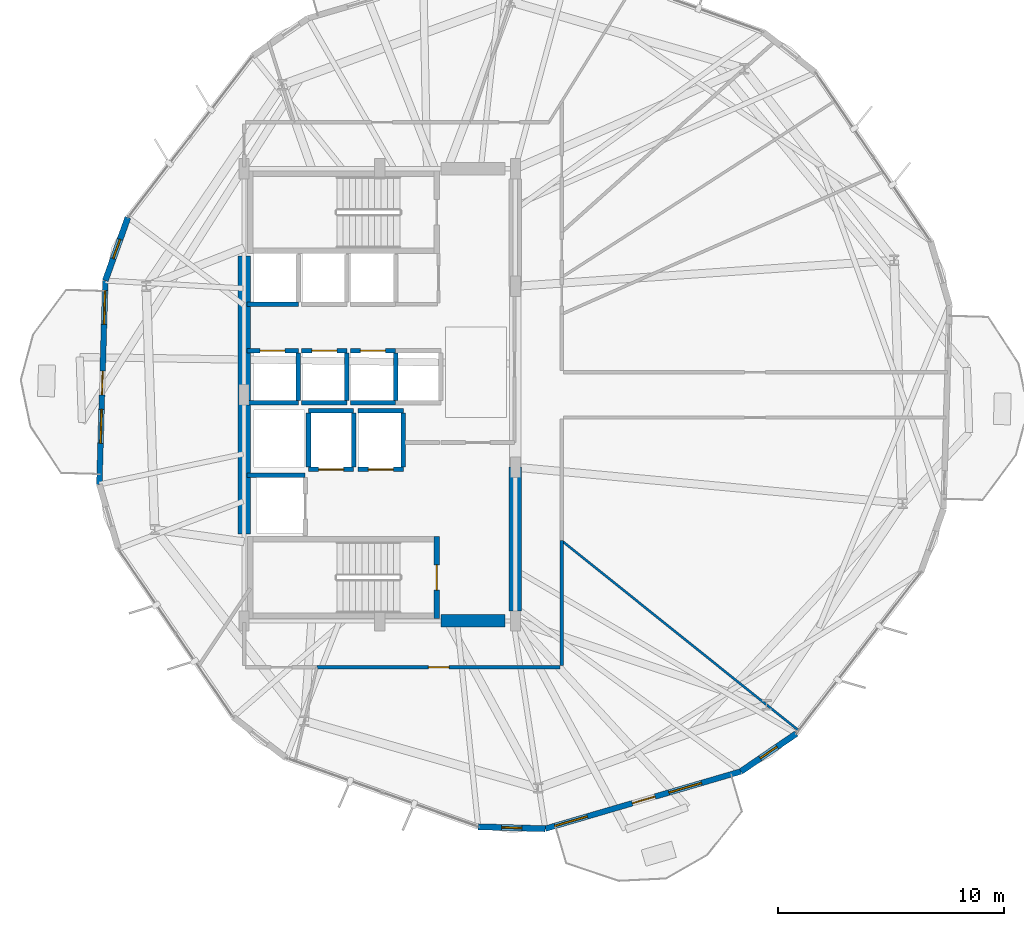
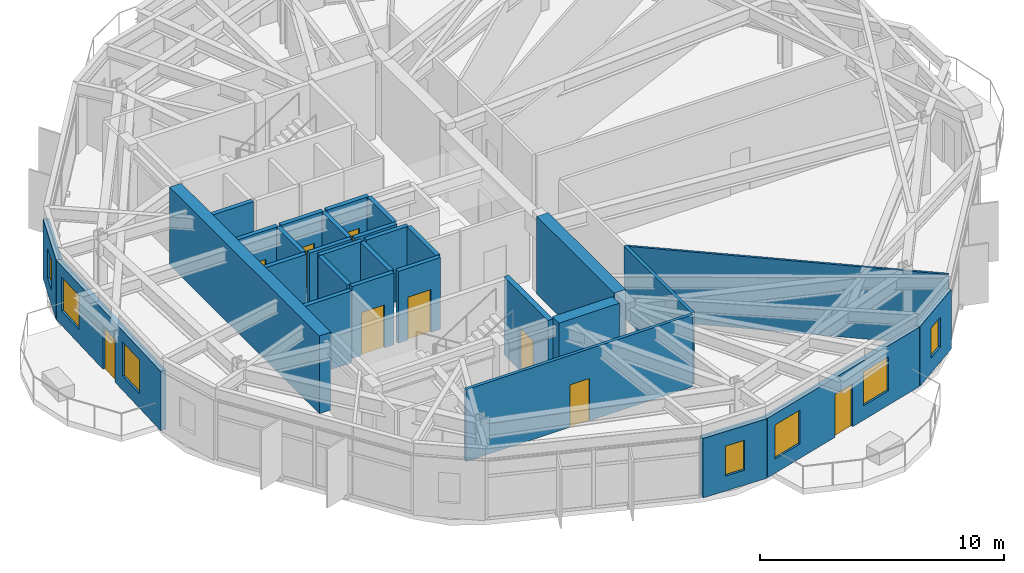
# One storey, part 19 of 24: 30 walls, 9 doors, 7 windows, 16 openings.
"""IFC4 building model written with IfcOpenShell, lengths in metres."""

from ifc_helpers import new_model, si_unit, direction, frame, frame_2d, origin, place, context, subcontext, project, spatial, rectangle, extrude, material, layer, layer_set, type_object, element, fill, save


model = new_model("IFC4")

# Units and contexts
model_context = context("Model", 3, precision=1e-05, world=origin(), true_north=direction((0.0, 1.0)))
body_context = subcontext(model_context, "Body", "Model", "MODEL_VIEW")
ifc_project = project(units=[si_unit("LENGTHUNIT", "METRE"), si_unit("AREAUNIT", "SQUARE_METRE"), si_unit("VOLUMEUNIT", "CUBIC_METRE"), si_unit("PLANEANGLEUNIT", "RADIAN"), si_unit("MASSUNIT", "GRAM", prefix="KILO")], contexts=[model_context])

# Site, building, storey
site_placement = place(None, origin())
site = spatial("IfcSite", under=ifc_project, at=site_placement, CompositionType="ELEMENT")
building_placement = place(site_placement, origin())
building = spatial("IfcBuilding", under=site, at=building_placement, Name="Soratama Intermodal Tower", CompositionType="ELEMENT")
storey_placement = place(building_placement, frame((0.0, 0.0, 91.300048828125)))
storey = spatial("IfcBuildingStorey", under=building, at=storey_placement, Name="L21", CompositionType="ELEMENT", Elevation=91.300048828125)

# Wall, openings, door, windows
ifc_material_1 = material(Name="Concrete f'c 42 MPa", Category="concrete")
ifc_layer_1 = layer(ifc_material_1, 0.25)
ifc_layer_set_1 = layer_set([ifc_layer_1], Name="Concrete f'c 42 MPa")
wall_type_1 = type_object("IfcWallType", Name="EW-BAL-250", PredefinedType="SOLIDWALL", material=ifc_layer_set_1)
wall_1_placement = place(storey_placement, frame((26.46484375, 30.053955078125, 0.0), z_axis=(0.0, 0.0, 1.0), x_axis=(-0.029323462977, -0.999569974799, 0.0)))
wall_1 = element("IfcWall", 1, at=wall_1_placement, inside=storey, type_object=wall_type_1, Name="L21 Terrace Wall F05", PredefinedType="SOLIDWALL", context=body_context, shape_type="SweptSolid", body=[
    extrude(rectangle(XDim=9.016845703125, YDim=0.25, at=frame_2d((4.50830078125, 0.0))), origin(), (0.0, 0.0, 1.0), 2.97900390625),
])
opening_1_placement = place(wall_1_placement, frame((4.00830078125, 0.0, 0.0)))
opening_1 = element("IfcOpeningElement", 2, at=opening_1_placement, cuts=wall_1, Name="Opening ED-5", PredefinedType="OPENING", context=body_context, shape_type="SweptSolid", body=[
    extrude(rectangle(XDim=1.050048828125, YDim=2.14990234375, at=frame_2d((0.52490234375, 1.074951171875))), frame((0.0, 0.135009765625, 0.0), z_axis=(0.0, -1.0, 0.0), x_axis=(1.0, 0.0, 0.0)), (0.0, 0.0, 1.0), 0.27001953125),
])
opening_2_placement = place(wall_1_placement, frame((0.43994140625, 0.0, 0.719970703125)))
opening_2 = element("IfcOpeningElement", 3, at=opening_2_placement, cuts=wall_1, Name="Opening WN-1", PredefinedType="OPENING", context=body_context, shape_type="SweptSolid", body=[
    extrude(rectangle(XDim=1.5, YDim=1.699951171875, at=frame_2d((0.75, 0.85009765625))), frame((0.0, 0.135009765625, 0.0), z_axis=(0.0, -1.0, 0.0), x_axis=(1.0, 0.0, 0.0)), (0.0, 0.0, 1.0), 0.27001953125),
])
opening_3_placement = place(wall_1_placement, frame((5.698486328125, 0.0, 0.719970703125)))
opening_3 = element("IfcOpeningElement", 4, at=opening_3_placement, cuts=wall_1, Name="Opening WN-1", PredefinedType="OPENING", context=body_context, shape_type="SweptSolid", body=[
    extrude(rectangle(XDim=1.5, YDim=1.699951171875, at=frame_2d((0.75, 0.85009765625))), frame((0.0, 0.135009765625, 0.0), z_axis=(0.0, -1.0, 0.0), x_axis=(1.0, 0.0, 0.0)), (0.0, 0.0, 1.0), 0.27001953125),
])
ifc_material_2 = material(Name="Double-glazed aluminium door", Category="aluminium")
door_type_1 = type_object("IfcDoorType", Name="DR-BAL-1050", OperationType="NOTDEFINED", PredefinedType="DOOR", material=ifc_material_2)
door_1_placement = place(opening_1_placement, origin())
door_1 = element("IfcDoor", 5, at=door_1_placement, inside=storey, type_object=door_type_1, Name="L21 Balcony Door F05", OperationType="SINGLE_SWING_LEFT", OverallHeight=2.14990234375, OverallWidth=1.050048828125, PredefinedType="DOOR", context=body_context, shape_type="SweptSolid", body=[
    extrude(rectangle(XDim=1.050048828125, YDim=2.14990234375, at=frame_2d((0.52490234375, 1.074951171875))), frame((0.0, 0.02490234375, 0.0), z_axis=(0.0, -1.0, 0.0), x_axis=(1.0, 0.0, 0.0)), (0.0, 0.0, 1.0), 0.050048828125),
])
fill(opening_1, door_1)
ifc_material_3 = material(Name="Double-glazed aluminium window", Category="aluminium")
window_type_1 = type_object("IfcWindowType", Name="WN-FAC-1500", PartitioningType="SINGLE_PANEL", PredefinedType="WINDOW", material=ifc_material_3)
window_1_placement = place(opening_2_placement, origin())
window_1 = element("IfcWindow", 6, at=window_1_placement, inside=storey, type_object=window_type_1, Name="L21 Window A F05", OverallHeight=1.699951171875, OverallWidth=1.5, PartitioningType="SINGLE_PANEL", PredefinedType="WINDOW", context=body_context, shape_type="SweptSolid", body=[
    extrude(rectangle(XDim=1.5, YDim=1.699951171875, at=frame_2d((0.75, 0.85009765625))), frame((0.0, 0.030029296875, 0.0), z_axis=(0.0, -1.0, 0.0), x_axis=(1.0, 0.0, 0.0)), (0.0, 0.0, 1.0), 0.06005859375),
])
fill(opening_2, window_1)
window_2_placement = place(opening_3_placement, origin())
window_2 = element("IfcWindow", 7, at=window_2_placement, inside=storey, type_object=window_type_1, Name="L21 Window B F05", OverallHeight=1.699951171875, OverallWidth=1.5, PartitioningType="SINGLE_PANEL", PredefinedType="WINDOW", context=body_context, shape_type="SweptSolid", body=[
    extrude(rectangle(XDim=1.5, YDim=1.699951171875, at=frame_2d((0.75, 0.85009765625))), frame((0.0, 0.030029296875, 0.0), z_axis=(0.0, -1.0, 0.0), x_axis=(1.0, 0.0, 0.0)), (0.0, 0.0, 1.0), 0.06005859375),
])
fill(opening_3, window_2)

wall_2_placement = place(storey_placement, frame((45.921142578125, 5.810302734375, 0.0), z_axis=(0.0, 0.0, 1.0), x_axis=(0.959709272815, 0.28099486058, 0.0)))
wall_2 = element("IfcWall", 8, at=wall_2_placement, inside=storey, type_object=wall_type_1, Name="L21 Terrace Wall F08", PredefinedType="SOLIDWALL", context=body_context, shape_type="SweptSolid", body=[
    extrude(rectangle(XDim=9.016845703125, YDim=0.25, at=frame_2d((4.50830078125, 0.0))), origin(), (0.0, 0.0, 1.0), 2.97900390625),
])
opening_4_placement = place(wall_2_placement, frame((4.00830078125, 0.0, 0.0)))
opening_4 = element("IfcOpeningElement", 9, at=opening_4_placement, cuts=wall_2, Name="Opening ED-5", PredefinedType="OPENING", context=body_context, shape_type="SweptSolid", body=[
    extrude(rectangle(XDim=1.050048828125, YDim=2.14990234375, at=frame_2d((0.52490234375, 1.074951171875))), frame((0.0, 0.135009765625, 0.0), z_axis=(0.0, -1.0, 0.0), x_axis=(1.0, 0.0, 0.0)), (0.0, 0.0, 1.0), 0.27001953125),
])
opening_5_placement = place(wall_2_placement, frame((0.43994140625, 0.0, 0.719970703125)))
opening_5 = element("IfcOpeningElement", 10, at=opening_5_placement, cuts=wall_2, Name="Opening WN-1", PredefinedType="OPENING", context=body_context, shape_type="SweptSolid", body=[
    extrude(rectangle(XDim=1.5, YDim=1.699951171875, at=frame_2d((0.75, 0.85009765625))), frame((0.0, 0.135009765625, 0.0), z_axis=(0.0, -1.0, 0.0), x_axis=(1.0, 0.0, 0.0)), (0.0, 0.0, 1.0), 0.27001953125),
])
opening_6_placement = place(wall_2_placement, frame((5.698486328125, 0.0, 0.719970703125)))
opening_6 = element("IfcOpeningElement", 11, at=opening_6_placement, cuts=wall_2, Name="Opening WN-1", PredefinedType="OPENING", context=body_context, shape_type="SweptSolid", body=[
    extrude(rectangle(XDim=1.5, YDim=1.699951171875, at=frame_2d((0.75, 0.85009765625))), frame((0.0, 0.135009765625, 0.0), z_axis=(0.0, -1.0, 0.0), x_axis=(1.0, 0.0, 0.0)), (0.0, 0.0, 1.0), 0.27001953125),
])
door_2_placement = place(opening_4_placement, origin())
door_2 = element("IfcDoor", 12, at=door_2_placement, inside=storey, type_object=door_type_1, Name="L21 Balcony Door F08", OperationType="SINGLE_SWING_RIGHT", OverallHeight=2.14990234375, OverallWidth=1.050048828125, PredefinedType="DOOR", context=body_context, shape_type="SweptSolid", body=[
    extrude(rectangle(XDim=1.050048828125, YDim=2.14990234375, at=frame_2d((0.52490234375, 1.074951171875))), frame((0.0, 0.02490234375, 0.0), z_axis=(0.0, -1.0, 0.0), x_axis=(1.0, 0.0, 0.0)), (0.0, 0.0, 1.0), 0.050048828125),
])
fill(opening_4, door_2)
window_3_placement = place(opening_5_placement, origin())
window_3 = element("IfcWindow", 13, at=window_3_placement, inside=storey, type_object=window_type_1, Name="L21 Window A F08", OverallHeight=1.699951171875, OverallWidth=1.5, PartitioningType="SINGLE_PANEL", PredefinedType="WINDOW", context=body_context, shape_type="SweptSolid", body=[
    extrude(rectangle(XDim=1.5, YDim=1.699951171875, at=frame_2d((0.75, 0.85009765625))), frame((0.0, 0.030029296875, 0.0), z_axis=(0.0, -1.0, 0.0), x_axis=(1.0, 0.0, 0.0)), (0.0, 0.0, 1.0), 0.06005859375),
])
fill(opening_5, window_3)
window_4_placement = place(opening_6_placement, origin())
window_4 = element("IfcWindow", 14, at=window_4_placement, inside=storey, type_object=window_type_1, Name="L21 Window B F08", OverallHeight=1.699951171875, OverallWidth=1.5, PartitioningType="SINGLE_PANEL", PredefinedType="WINDOW", context=body_context, shape_type="SweptSolid", body=[
    extrude(rectangle(XDim=1.5, YDim=1.699951171875, at=frame_2d((0.75, 0.85009765625))), frame((0.0, 0.030029296875, 0.0), z_axis=(0.0, -1.0, 0.0), x_axis=(1.0, 0.0, 0.0)), (0.0, 0.0, 1.0), 0.06005859375),
])
fill(opening_6, window_4)

# Wall, opening, window
ifc_material_4 = material(Name="Concrete f'c 42 MPa", Category="concrete")
ifc_layer_2 = layer(ifc_material_4, 0.27001953125)
ifc_layer_set_2 = layer_set([ifc_layer_2], Name="Concrete f'c 42 MPa")
wall_type_2 = type_object("IfcWallType", Name="EW-CRN-270", PredefinedType="SOLIDWALL", material=ifc_layer_set_2)
wall_3_placement = place(storey_placement, frame((27.4638671875, 32.847412109375, 0.0), z_axis=(0.0, 0.0, 1.0), x_axis=(-0.336742989922, -0.941596600853, 0.0)))
wall_3 = element("IfcWall", 15, at=wall_3_placement, inside=storey, type_object=wall_type_2, Name="L21 Corner Closure Wall 04", PredefinedType="SOLIDWALL", context=body_context, shape_type="SweptSolid", body=[
    extrude(rectangle(XDim=2.966796875, YDim=0.27001953125, at=frame_2d((1.4833984375, 0.0))), origin(), (0.0, 0.0, 1.0), 2.97900390625),
])
opening_7_placement = place(wall_3_placement, frame((1.033203125, 0.0, 0.75)))
opening_7 = element("IfcOpeningElement", 16, at=opening_7_placement, cuts=wall_3, Name="Opening WN-6", PredefinedType="OPENING", context=body_context, shape_type="SweptSolid", body=[
    extrude(rectangle(XDim=0.89990234375, YDim=1.5, at=frame_2d((0.449951171875, 0.75))), frame((0.0, 0.14501953125, 0.0), z_axis=(0.0, -1.0, 0.0), x_axis=(1.0, 0.0, 0.0)), (0.0, 0.0, 1.0), 0.2900390625),
])
ifc_material_5 = material(Name="Double-glazed aluminium window", Category="aluminium")
window_type_2 = type_object("IfcWindowType", Name="WN-FAC-900", PartitioningType="SINGLE_PANEL", PredefinedType="WINDOW", material=ifc_material_5)
window_5_placement = place(opening_7_placement, origin())
window_5 = element("IfcWindow", 17, at=window_5_placement, inside=storey, type_object=window_type_2, Name="L21 Corner Window 04", OverallHeight=1.5, OverallWidth=0.89990234375, PartitioningType="SINGLE_PANEL", PredefinedType="WINDOW", context=body_context, shape_type="SweptSolid", body=[
    extrude(rectangle(XDim=0.89990234375, YDim=1.5, at=frame_2d((0.449951171875, 0.75))), frame((0.0, 0.030029296875, 0.0), z_axis=(0.0, -1.0, 0.0), x_axis=(1.0, 0.0, 0.0)), (0.0, 0.0, 1.0), 0.06005859375),
])
fill(opening_7, window_5)

wall_4_placement = place(storey_placement, frame((42.955810546875, 5.897216796875, 0.0), z_axis=(0.0, 0.0, 1.0), x_axis=(0.999570736723, -0.029297479193, 0.0)))
wall_4 = element("IfcWall", 18, at=wall_4_placement, inside=storey, type_object=wall_type_2, Name="L21 Corner Closure Wall 07", PredefinedType="SOLIDWALL", context=body_context, shape_type="SweptSolid", body=[
    extrude(rectangle(XDim=2.966552734375, YDim=0.27001953125, at=frame_2d((1.4833984375, 0.0))), origin(), (0.0, 0.0, 1.0), 2.97900390625),
])
opening_8_placement = place(wall_4_placement, frame((1.033203125, 0.0, 0.75)))
opening_8 = element("IfcOpeningElement", 19, at=opening_8_placement, cuts=wall_4, Name="Opening WN-6", PredefinedType="OPENING", context=body_context, shape_type="SweptSolid", body=[
    extrude(rectangle(XDim=0.89990234375, YDim=1.5, at=frame_2d((0.449951171875, 0.75))), frame((0.0, 0.14501953125, 0.0), z_axis=(0.0, -1.0, 0.0), x_axis=(1.0, 0.0, 0.0)), (0.0, 0.0, 1.0), 0.2900390625),
])
window_6_placement = place(opening_8_placement, origin())
window_6 = element("IfcWindow", 20, at=window_6_placement, inside=storey, type_object=window_type_2, Name="L21 Corner Window 07", OverallHeight=1.5, OverallWidth=0.89990234375, PartitioningType="SINGLE_PANEL", PredefinedType="WINDOW", context=body_context, shape_type="SweptSolid", body=[
    extrude(rectangle(XDim=0.89990234375, YDim=1.5, at=frame_2d((0.449951171875, 0.75))), frame((0.0, 0.030029296875, 0.0), z_axis=(0.0, -1.0, 0.0), x_axis=(1.0, 0.0, 0.0)), (0.0, 0.0, 1.0), 0.06005859375),
])
fill(opening_8, window_6)

wall_5_placement = place(storey_placement, frame((54.57470703125, 8.343994140625, 0.0), z_axis=(0.0, 0.0, 1.0), x_axis=(0.825884174717, 0.563839808768, 0.0)))
wall_5 = element("IfcWall", 21, at=wall_5_placement, inside=storey, type_object=wall_type_2, Name="L21 Corner Closure Wall 08", PredefinedType="SOLIDWALL", context=body_context, shape_type="SweptSolid", body=[
    extrude(rectangle(XDim=2.966552734375, YDim=0.27001953125, at=frame_2d((1.4833984375, 0.0))), origin(), (0.0, 0.0, 1.0), 2.97900390625),
])
opening_9_placement = place(wall_5_placement, frame((1.033203125, 0.0, 0.75)))
opening_9 = element("IfcOpeningElement", 22, at=opening_9_placement, cuts=wall_5, Name="Opening WN-6", PredefinedType="OPENING", context=body_context, shape_type="SweptSolid", body=[
    extrude(rectangle(XDim=0.89990234375, YDim=1.5, at=frame_2d((0.449951171875, 0.75))), frame((0.0, 0.14501953125, 0.0), z_axis=(0.0, -1.0, 0.0), x_axis=(1.0, 0.0, 0.0)), (0.0, 0.0, 1.0), 0.2900390625),
])
window_7_placement = place(opening_9_placement, origin())
window_7 = element("IfcWindow", 23, at=window_7_placement, inside=storey, type_object=window_type_2, Name="L21 Corner Window 08", OverallHeight=1.5, OverallWidth=0.89990234375, PartitioningType="SINGLE_PANEL", PredefinedType="WINDOW", context=body_context, shape_type="SweptSolid", body=[
    extrude(rectangle(XDim=0.89990234375, YDim=1.5, at=frame_2d((0.449951171875, 0.75))), frame((0.0, 0.030029296875, 0.0), z_axis=(0.0, -1.0, 0.0), x_axis=(1.0, 0.0, 0.0)), (0.0, 0.0, 1.0), 0.06005859375),
])
fill(opening_9, window_7)

# Wall, opening, door
ifc_material_6 = material(Name="Fire-rated gypsum stud partition", Category="concrete")
ifc_layer_3 = layer(ifc_material_6, 0.14990234375)
ifc_layer_set_3 = layer_set([ifc_layer_3], Name="Fire-rated gypsum stud partition")
wall_type_3 = type_object("IfcWallType", Name="IW-PART-R150", PredefinedType="PARTITIONING", material=ifc_layer_set_3)
wall_6_placement = place(storey_placement, frame((46.580078125, 12.949951171875, 0.0), z_axis=(0.0, 0.0, 1.0), x_axis=(-1.0, 0.0, 0.0)))
wall_6 = element("IfcWall", 24, at=wall_6_placement, inside=storey, type_object=wall_type_3, Name="L21 Partition W-L21-TP007", PredefinedType="PARTITIONING", context=body_context, shape_type="SweptSolid", body=[
    extrude(rectangle(XDim=10.760986328125, YDim=0.14990234375, at=frame_2d((5.38037109375, 0.0))), origin(), (0.0, 0.0, 1.0), 3.599853515625),
])
opening_10_placement = place(wall_6_placement, frame((4.905029296875, 0.0, 0.0)))
opening_10 = element("IfcOpeningElement", 25, at=opening_10_placement, cuts=wall_6, Name="Opening ID-6", PredefinedType="OPENING", context=body_context, shape_type="SweptSolid", body=[
    extrude(rectangle(XDim=0.919921875, YDim=2.1201171875, at=frame_2d((0.4599609375, 1.06005859375))), frame((0.0, 0.0849609375, 0.0), z_axis=(0.0, -1.0, 0.0), x_axis=(1.0, 0.0, 0.0)), (0.0, 0.0, 1.0), 0.169921875),
])
ifc_material_7 = material(Name="Solid hardwood acoustic door", Category="wood")
door_type_2 = type_object("IfcDoorType", Name="DR-ROOM-920", OperationType="NOTDEFINED", PredefinedType="DOOR", material=ifc_material_7)
door_3_placement = place(opening_10_placement, origin())
door_3 = element("IfcDoor", 26, at=door_3_placement, inside=storey, type_object=door_type_2, Name="L21 Door D-L21-TP003", OperationType="SINGLE_SWING_RIGHT", OverallHeight=2.1201171875, OverallWidth=0.919921875, PredefinedType="DOOR", context=body_context, shape_type="SweptSolid", body=[
    extrude(rectangle(XDim=0.919921875, YDim=2.1201171875, at=frame_2d((0.4599609375, 1.06005859375))), frame((0.0, 0.02490234375, 0.0), z_axis=(0.0, -1.0, 0.0), x_axis=(1.0, 0.0, 0.0)), (0.0, 0.0, 1.0), 0.050048828125),
])
fill(opening_10, door_3)

# Walls
wall_7_placement = place(storey_placement, frame((46.64990234375, 18.550048828125, 0.0), z_axis=(0.0, 0.0, 1.0), x_axis=(0.0, -1.0, 0.0)))
element("IfcWall", 27, at=wall_7_placement, inside=storey, type_object=wall_type_3, Name="L21 Partition W-L21-TP013", PredefinedType="PARTITIONING", context=body_context, shape_type="SweptSolid", body=[
    extrude(rectangle(XDim=5.530029296875, YDim=0.14990234375, at=frame_2d((2.76513671875, 0.0))), origin(), (0.0, 0.0, 1.0), 3.599853515625),
])
ifc_material_8 = material(Name="Fire-rated gypsum stud partition", Category="concrete")
ifc_layer_4 = layer(ifc_material_8, 0.10009765625)
ifc_layer_set_4 = layer_set([ifc_layer_4], Name="Fire-rated gypsum stud partition")
wall_type_4 = type_object("IfcWallType", Name="IW-PART-S100", PredefinedType="PARTITIONING", material=ifc_layer_set_4)
wall_8_placement = place(storey_placement, frame((46.64990234375, 18.550048828125, 0.0), z_axis=(0.0, 0.0, 1.0), x_axis=(0.780396792297, -0.625284612455, 0.0)))
element("IfcWall", 28, at=wall_8_placement, inside=storey, type_object=wall_type_4, Name="L21 Partition W-L21-TP005", PredefinedType="PARTITIONING", context=body_context, shape_type="SweptSolid", body=[
    extrude(rectangle(XDim=13.428955078125, YDim=0.10009765625, at=frame_2d((6.71435546875, 0.0))), origin(), (0.0, 0.0, 1.0), 3.599853515625),
])

# Wall, opening, door
ifc_material_9 = material(Name="Concrete f'c 42 MPa", Category="concrete")
ifc_layer_5 = layer(ifc_material_9, 0.199951171875)
ifc_layer_set_5 = layer_set([ifc_layer_5], Name="Concrete f'c 42 MPa")
wall_type_5 = type_object("IfcWallType", Name="IW-SHAFT-200", PredefinedType="SOLIDWALL", material=ifc_layer_set_5)
wall_9_placement = place(storey_placement, frame((35.449951171875, 21.699951171875, 0.0), z_axis=(0.0, 0.0, 1.0), x_axis=(1.0, 0.0, 0.0)))
wall_9 = element("IfcWall", 29, at=wall_9_placement, inside=storey, type_object=wall_type_5, Name="L21 FFL-1 Hoistway Wall S", PredefinedType="SOLIDWALL", context=body_context, shape_type="SweptSolid", body=[
    extrude(rectangle(XDim=2.0, YDim=0.199951171875, at=frame_2d((1.0, 0.0))), origin(), (0.0, 0.0, 1.0), 3.599853515625),
])
opening_11_placement = place(wall_9_placement, frame((0.449951171875, 0.0, 0.0)))
opening_11 = element("IfcOpeningElement", 30, at=opening_11_placement, cuts=wall_9, Name="Opening LD-1", PredefinedType="OPENING", context=body_context, shape_type="SweptSolid", body=[
    extrude(rectangle(XDim=1.10009765625, YDim=2.14990234375, at=frame_2d((0.550048828125, 1.074951171875))), frame((0.0, 0.10986328125, 0.0), z_axis=(0.0, -1.0, 0.0), x_axis=(1.0, 0.0, 0.0)), (0.0, 0.0, 1.0), 0.219970703125),
])
ifc_material_10 = material(Name="Steel fire door", Category="steel")
door_type_3 = type_object("IfcDoorType", Name="DR-LIFT-SLIDE", OperationType="NOTDEFINED", PredefinedType="DOOR", material=ifc_material_10)
door_4_placement = place(opening_11_placement, origin())
door_4 = element("IfcDoor", 31, at=door_4_placement, inside=storey, type_object=door_type_3, Name="L21 FFL-1 Sliding Landing Door", OperationType="SLIDING_TO_LEFT", OverallHeight=2.14990234375, OverallWidth=1.10009765625, PredefinedType="DOOR", context=body_context, shape_type="SweptSolid", body=[
    extrude(rectangle(XDim=1.10009765625, YDim=2.14990234375, at=frame_2d((0.550048828125, 1.074951171875))), frame((0.0, 0.02490234375, 0.0), z_axis=(0.0, -1.0, 0.0), x_axis=(1.0, 0.0, 0.0)), (0.0, 0.0, 1.0), 0.050048828125),
])
fill(opening_11, door_4)

# Walls
wall_10_placement = place(storey_placement, frame((35.449951171875, 24.300048828125, 0.0), z_axis=(0.0, 0.0, 1.0), x_axis=(1.0, 0.0, 0.0)))
element("IfcWall", 32, at=wall_10_placement, inside=storey, type_object=wall_type_5, Name="L21 FFL-1 Hoistway Wall N", PredefinedType="SOLIDWALL", context=body_context, shape_type="SweptSolid", body=[
    extrude(rectangle(XDim=2.0, YDim=0.199951171875, at=frame_2d((1.0, 0.0))), origin(), (0.0, 0.0, 1.0), 3.599853515625),
])
for number, where, z_axis, x_axis, name in (
    (33, (35.449951171875, 21.81005859375, 0.0), (0.0, 0.0, 1.0), (0.0, 1.0, 0.0), "L21 FFL-1 Hoistway Wall W"),
    (34, (37.449951171875, 21.81005859375, 0.0), (0.0, 0.0, 1.0), (0.0, 1.0, 0.0), "L21 FFL-1 Hoistway Wall E"),
):
    element("IfcWall", number, at=place(storey_placement, frame(where, z_axis=z_axis, x_axis=x_axis)), inside=storey, type_object=wall_type_5, Name=name, PredefinedType="SOLIDWALL", context=body_context, shape_type="SweptSolid", body=[
        extrude(rectangle(XDim=2.3798828125, YDim=0.199951171875, at=frame_2d((1.18994140625, 0.0))), origin(), (0.0, 0.0, 1.0), 3.599853515625),
    ])

# Wall, opening, door
wall_11_placement = place(storey_placement, frame((37.64990234375, 21.699951171875, 0.0), z_axis=(0.0, 0.0, 1.0), x_axis=(1.0, 0.0, 0.0)))
wall_11 = element("IfcWall", 35, at=wall_11_placement, inside=storey, type_object=wall_type_5, Name="L21 FFL-2 Hoistway Wall S", PredefinedType="SOLIDWALL", context=body_context, shape_type="SweptSolid", body=[
    extrude(rectangle(XDim=2.0, YDim=0.199951171875, at=frame_2d((1.0, 0.0))), origin(), (0.0, 0.0, 1.0), 3.599853515625),
])
opening_12_placement = place(wall_11_placement, frame((0.449951171875, 0.0, 0.0)))
opening_12 = element("IfcOpeningElement", 36, at=opening_12_placement, cuts=wall_11, Name="Opening LD-1", PredefinedType="OPENING", context=body_context, shape_type="SweptSolid", body=[
    extrude(rectangle(XDim=1.10009765625, YDim=2.14990234375, at=frame_2d((0.550048828125, 1.074951171875))), frame((0.0, 0.10986328125, 0.0), z_axis=(0.0, -1.0, 0.0), x_axis=(1.0, 0.0, 0.0)), (0.0, 0.0, 1.0), 0.219970703125),
])
door_5_placement = place(opening_12_placement, origin())
door_5 = element("IfcDoor", 37, at=door_5_placement, inside=storey, type_object=door_type_3, Name="L21 FFL-2 Sliding Landing Door", OperationType="SLIDING_TO_LEFT", OverallHeight=2.14990234375, OverallWidth=1.10009765625, PredefinedType="DOOR", context=body_context, shape_type="SweptSolid", body=[
    extrude(rectangle(XDim=1.10009765625, YDim=2.14990234375, at=frame_2d((0.550048828125, 1.074951171875))), frame((0.0, 0.02490234375, 0.0), z_axis=(0.0, -1.0, 0.0), x_axis=(1.0, 0.0, 0.0)), (0.0, 0.0, 1.0), 0.050048828125),
])
fill(opening_12, door_5)

# Walls
wall_12_placement = place(storey_placement, frame((37.64990234375, 24.300048828125, 0.0), z_axis=(0.0, 0.0, 1.0), x_axis=(1.0, 0.0, 0.0)))
element("IfcWall", 38, at=wall_12_placement, inside=storey, type_object=wall_type_5, Name="L21 FFL-2 Hoistway Wall N", PredefinedType="SOLIDWALL", context=body_context, shape_type="SweptSolid", body=[
    extrude(rectangle(XDim=2.0, YDim=0.199951171875, at=frame_2d((1.0, 0.0))), origin(), (0.0, 0.0, 1.0), 3.599853515625),
])
wall_13_placement = place(storey_placement, frame((39.64990234375, 21.81005859375, 0.0), z_axis=(0.0, 0.0, 1.0), x_axis=(0.0, 1.0, 0.0)))
element("IfcWall", 39, at=wall_13_placement, inside=storey, type_object=wall_type_5, Name="L21 FFL-2 Hoistway Wall E", PredefinedType="SOLIDWALL", context=body_context, shape_type="SweptSolid", body=[
    extrude(rectangle(XDim=2.3798828125, YDim=0.199951171875, at=frame_2d((1.18994140625, 0.0))), origin(), (0.0, 0.0, 1.0), 3.599853515625),
])
wall_14_placement = place(storey_placement, frame((32.719970703125, 21.449951171875, 0.0), z_axis=(0.0, 0.0, 1.0), x_axis=(1.0, 0.0, 0.0)))
element("IfcWall", 40, at=wall_14_placement, inside=storey, type_object=wall_type_5, Name="L21 SVL-1 Hoistway Wall N", PredefinedType="SOLIDWALL", context=body_context, shape_type="SweptSolid", body=[
    extrude(rectangle(XDim=2.580078125, YDim=0.199951171875, at=frame_2d((1.2900390625, 0.0))), origin(), (0.0, 0.0, 1.0), 3.599853515625),
])
wall_15_placement = place(storey_placement, frame((32.719970703125, 24.64990234375, 0.0), z_axis=(0.0, 0.0, 1.0), x_axis=(1.0, 0.0, 0.0)))
element("IfcWall", 41, at=wall_15_placement, inside=storey, type_object=wall_type_5, Name="L21 PL-L1 Hoistway Wall S", PredefinedType="SOLIDWALL", context=body_context, shape_type="SweptSolid", body=[
    extrude(rectangle(XDim=2.280029296875, YDim=0.199951171875, at=frame_2d((1.14013671875, 0.0))), origin(), (0.0, 0.0, 1.0), 3.599853515625),
])

# Wall, opening, door
wall_16_placement = place(storey_placement, frame((32.719970703125, 26.949951171875, 0.0), z_axis=(0.0, 0.0, 1.0), x_axis=(1.0, 0.0, 0.0)))
wall_16 = element("IfcWall", 42, at=wall_16_placement, inside=storey, type_object=wall_type_5, Name="L21 PL-L1 Hoistway Wall N", PredefinedType="SOLIDWALL", context=body_context, shape_type="SweptSolid", body=[
    extrude(rectangle(XDim=2.280029296875, YDim=0.199951171875, at=frame_2d((1.14013671875, 0.0))), origin(), (0.0, 0.0, 1.0), 3.599853515625),
])
opening_13_placement = place(wall_16_placement, frame((0.590087890625, 0.0, 0.0)))
opening_13 = element("IfcOpeningElement", 43, at=opening_13_placement, cuts=wall_16, Name="Opening LD-1", PredefinedType="OPENING", context=body_context, shape_type="SweptSolid", body=[
    extrude(rectangle(XDim=1.10009765625, YDim=2.14990234375, at=frame_2d((0.550048828125, 1.074951171875))), frame((0.0, 0.10986328125, 0.0), z_axis=(0.0, -1.0, 0.0), x_axis=(1.0, 0.0, 0.0)), (0.0, 0.0, 1.0), 0.219970703125),
])
door_6_placement = place(opening_13_placement, origin())
door_6 = element("IfcDoor", 44, at=door_6_placement, inside=storey, type_object=door_type_3, Name="L21 PL-L1 Sliding Landing Door", OperationType="SLIDING_TO_LEFT", OverallHeight=2.14990234375, OverallWidth=1.10009765625, PredefinedType="DOOR", context=body_context, shape_type="SweptSolid", body=[
    extrude(rectangle(XDim=1.10009765625, YDim=2.14990234375, at=frame_2d((0.550048828125, 1.074951171875))), frame((0.0, 0.02490234375, 0.0), z_axis=(0.0, -1.0, 0.0), x_axis=(1.0, 0.0, 0.0)), (0.0, 0.0, 1.0), 0.050048828125),
])
fill(opening_13, door_6)

# Walls
wall_17_placement = place(storey_placement, frame((35.0, 24.760009765625, 0.0), z_axis=(0.0, 0.0, 1.0), x_axis=(0.0, 1.0, 0.0)))
element("IfcWall", 45, at=wall_17_placement, inside=storey, type_object=wall_type_5, Name="L21 PL-L1 Hoistway Wall E", PredefinedType="SOLIDWALL", context=body_context, shape_type="SweptSolid", body=[
    extrude(rectangle(XDim=2.080078125, YDim=0.199951171875, at=frame_2d((1.0400390625, 0.0))), origin(), (0.0, 0.0, 1.0), 3.599853515625),
])
wall_18_placement = place(storey_placement, frame((35.14990234375, 24.64990234375, 0.0), z_axis=(0.0, 0.0, 1.0), x_axis=(1.0, 0.0, 0.0)))
element("IfcWall", 46, at=wall_18_placement, inside=storey, type_object=wall_type_5, Name="L21 PL-L2 Hoistway Wall S", PredefinedType="SOLIDWALL", context=body_context, shape_type="SweptSolid", body=[
    extrude(rectangle(XDim=2.0, YDim=0.199951171875, at=frame_2d((1.0, 0.0))), origin(), (0.0, 0.0, 1.0), 3.599853515625),
])

# Wall, opening, door
wall_19_placement = place(storey_placement, frame((35.14990234375, 26.949951171875, 0.0), z_axis=(0.0, 0.0, 1.0), x_axis=(1.0, 0.0, 0.0)))
wall_19 = element("IfcWall", 47, at=wall_19_placement, inside=storey, type_object=wall_type_5, Name="L21 PL-L2 Hoistway Wall N", PredefinedType="SOLIDWALL", context=body_context, shape_type="SweptSolid", body=[
    extrude(rectangle(XDim=2.0, YDim=0.199951171875, at=frame_2d((1.0, 0.0))), origin(), (0.0, 0.0, 1.0), 3.599853515625),
])
opening_14_placement = place(wall_19_placement, frame((0.449951171875, 0.0, 0.0)))
opening_14 = element("IfcOpeningElement", 48, at=opening_14_placement, cuts=wall_19, Name="Opening LD-1", PredefinedType="OPENING", context=body_context, shape_type="SweptSolid", body=[
    extrude(rectangle(XDim=1.10009765625, YDim=2.14990234375, at=frame_2d((0.550048828125, 1.074951171875))), frame((0.0, 0.10986328125, 0.0), z_axis=(0.0, -1.0, 0.0), x_axis=(1.0, 0.0, 0.0)), (0.0, 0.0, 1.0), 0.219970703125),
])
door_7_placement = place(opening_14_placement, origin())
door_7 = element("IfcDoor", 49, at=door_7_placement, inside=storey, type_object=door_type_3, Name="L21 PL-L2 Sliding Landing Door", OperationType="SLIDING_TO_LEFT", OverallHeight=2.14990234375, OverallWidth=1.10009765625, PredefinedType="DOOR", context=body_context, shape_type="SweptSolid", body=[
    extrude(rectangle(XDim=1.10009765625, YDim=2.14990234375, at=frame_2d((0.550048828125, 1.074951171875))), frame((0.0, 0.02490234375, 0.0), z_axis=(0.0, -1.0, 0.0), x_axis=(1.0, 0.0, 0.0)), (0.0, 0.0, 1.0), 0.050048828125),
])
fill(opening_14, door_7)

# Walls
wall_20_placement = place(storey_placement, frame((37.14990234375, 24.760009765625, 0.0), z_axis=(0.0, 0.0, 1.0), x_axis=(0.0, 1.0, 0.0)))
element("IfcWall", 50, at=wall_20_placement, inside=storey, type_object=wall_type_5, Name="L21 PL-L2 Hoistway Wall E", PredefinedType="SOLIDWALL", context=body_context, shape_type="SweptSolid", body=[
    extrude(rectangle(XDim=2.080078125, YDim=0.199951171875, at=frame_2d((1.0400390625, 0.0))), origin(), (0.0, 0.0, 1.0), 3.599853515625),
])
wall_21_placement = place(storey_placement, frame((37.300048828125, 24.64990234375, 0.0), z_axis=(0.0, 0.0, 1.0), x_axis=(1.0, 0.0, 0.0)))
element("IfcWall", 51, at=wall_21_placement, inside=storey, type_object=wall_type_5, Name="L21 PL-L3 Hoistway Wall S", PredefinedType="SOLIDWALL", context=body_context, shape_type="SweptSolid", body=[
    extrude(rectangle(XDim=2.0, YDim=0.199951171875, at=frame_2d((1.0, 0.0))), origin(), (0.0, 0.0, 1.0), 3.599853515625),
])

# Wall, opening, door
wall_22_placement = place(storey_placement, frame((37.300048828125, 26.949951171875, 0.0), z_axis=(0.0, 0.0, 1.0), x_axis=(1.0, 0.0, 0.0)))
wall_22 = element("IfcWall", 52, at=wall_22_placement, inside=storey, type_object=wall_type_5, Name="L21 PL-L3 Hoistway Wall N", PredefinedType="SOLIDWALL", context=body_context, shape_type="SweptSolid", body=[
    extrude(rectangle(XDim=2.0, YDim=0.199951171875, at=frame_2d((1.0, 0.0))), origin(), (0.0, 0.0, 1.0), 3.599853515625),
])
opening_15_placement = place(wall_22_placement, frame((0.449951171875, 0.0, 0.0)))
opening_15 = element("IfcOpeningElement", 53, at=opening_15_placement, cuts=wall_22, Name="Opening LD-1", PredefinedType="OPENING", context=body_context, shape_type="SweptSolid", body=[
    extrude(rectangle(XDim=1.10009765625, YDim=2.14990234375, at=frame_2d((0.550048828125, 1.074951171875))), frame((0.0, 0.10986328125, 0.0), z_axis=(0.0, -1.0, 0.0), x_axis=(1.0, 0.0, 0.0)), (0.0, 0.0, 1.0), 0.219970703125),
])
door_8_placement = place(opening_15_placement, origin())
door_8 = element("IfcDoor", 54, at=door_8_placement, inside=storey, type_object=door_type_3, Name="L21 PL-L3 Sliding Landing Door", OperationType="SLIDING_TO_LEFT", OverallHeight=2.14990234375, OverallWidth=1.10009765625, PredefinedType="DOOR", context=body_context, shape_type="SweptSolid", body=[
    extrude(rectangle(XDim=1.10009765625, YDim=2.14990234375, at=frame_2d((0.550048828125, 1.074951171875))), frame((0.0, 0.02490234375, 0.0), z_axis=(0.0, -1.0, 0.0), x_axis=(1.0, 0.0, 0.0)), (0.0, 0.0, 1.0), 0.050048828125),
])
fill(opening_15, door_8)

# Walls
wall_23_placement = place(storey_placement, frame((39.300048828125, 24.760009765625, 0.0), z_axis=(0.0, 0.0, 1.0), x_axis=(0.0, 1.0, 0.0)))
element("IfcWall", 55, at=wall_23_placement, inside=storey, type_object=wall_type_5, Name="L21 PL-L3 Hoistway Wall E", PredefinedType="SOLIDWALL", context=body_context, shape_type="SweptSolid", body=[
    extrude(rectangle(XDim=2.080078125, YDim=0.199951171875, at=frame_2d((1.0400390625, 0.0))), origin(), (0.0, 0.0, 1.0), 3.599853515625),
])
wall_24_placement = place(storey_placement, frame((32.719970703125, 29.0, 0.0), z_axis=(0.0, 0.0, 1.0), x_axis=(1.0, 0.0, 0.0)))
element("IfcWall", 56, at=wall_24_placement, inside=storey, type_object=wall_type_5, Name="L21 PL-M2 Hoistway Wall S", PredefinedType="SOLIDWALL", context=body_context, shape_type="SweptSolid", body=[
    extrude(rectangle(XDim=2.280029296875, YDim=0.199951171875, at=frame_2d((1.14013671875, 0.0))), origin(), (0.0, 0.0, 1.0), 3.599853515625),
])
ifc_material_11 = material(Name="Concrete f'c 56 MPa", Category="concrete")
ifc_layer_6 = layer(ifc_material_11, 0.550048828125)
ifc_layer_set_6 = layer_set([ifc_layer_6], Name="Concrete f'c 56 MPa")
wall_type_6 = type_object("IfcWallType", Name="SW-CORE-550", PredefinedType="SHEAR", material=ifc_layer_set_6)
wall_25_placement = place(storey_placement, frame((32.60009765625, 18.85009765625, 0.0), z_axis=(0.0, 0.0, 1.0), x_axis=(0.0, 1.0, 0.0)))
element("IfcWall", 57, at=wall_25_placement, inside=storey, type_object=wall_type_6, Name="L21 Core Shear Wall CW-WMID", PredefinedType="SHEAR", context=body_context, shape_type="SweptSolid", body=[
    extrude(rectangle(XDim=12.2998046875, YDim=0.550048828125, at=frame_2d((6.14990234375, 0.0))), origin(), (0.0, 0.0, 1.0), 3.89990234375),
])
wall_26_placement = place(storey_placement, frame((41.300048828125, 15.0, 0.0), z_axis=(0.0, 0.0, 1.0), x_axis=(1.0, 0.0, 0.0)))
element("IfcWall", 58, at=wall_26_placement, inside=storey, type_object=wall_type_6, Name="L21 Core Shear Wall CW-SE", PredefinedType="SHEAR", context=body_context, shape_type="SweptSolid", body=[
    extrude(rectangle(XDim=2.849853515625, YDim=0.550048828125, at=frame_2d((1.4248046875, 0.0))), origin(), (0.0, 0.0, 1.0), 3.89990234375),
])
wall_27_placement = place(storey_placement, frame((44.60009765625, 15.449951171875, 0.0), z_axis=(0.0, 0.0, 1.0), x_axis=(0.0, 1.0, 0.0)))
element("IfcWall", 59, at=wall_27_placement, inside=storey, type_object=wall_type_6, Name="L21 Core Shear Wall CW-ES", PredefinedType="SHEAR", context=body_context, shape_type="SweptSolid", body=[
    extrude(rectangle(XDim=6.35009765625, YDim=0.550048828125, at=frame_2d((3.175048828125, 0.0))), origin(), (0.0, 0.0, 1.0), 3.89990234375),
])

# Wall, opening, door
ifc_material_12 = material(Name="Concrete f'c 56 MPa", Category="concrete")
ifc_layer_7 = layer(ifc_material_12, 0.239990234375)
ifc_layer_set_7 = layer_set([ifc_layer_7], Name="Concrete f'c 56 MPa")
wall_type_7 = type_object("IfcWallType", Name="SW-STAIR-240", PredefinedType="SHEAR", material=ifc_layer_set_7)
wall_28_placement = place(storey_placement, frame((41.1201171875, 15.110107421875, 0.0), z_axis=(0.0, 0.0, 1.0), x_axis=(0.0, 1.0, 0.0)))
wall_28 = element("IfcWall", 60, at=wall_28_placement, inside=storey, type_object=wall_type_7, Name="L21 ST-1 Shaft Shear Wall E", PredefinedType="SHEAR", context=body_context, shape_type="SweptSolid", body=[
    extrude(rectangle(XDim=3.6298828125, YDim=0.239990234375, at=frame_2d((1.81494140625, 0.0))), origin(), (0.0, 0.0, 1.0), 3.89990234375),
])
opening_16_placement = place(wall_28_placement, frame((1.2548828125, 0.0, 0.0)))
opening_16 = element("IfcOpeningElement", 61, at=opening_16_placement, cuts=wall_28, Name="Opening SD-1", PredefinedType="OPENING", context=body_context, shape_type="SweptSolid", body=[
    extrude(rectangle(XDim=1.1201171875, YDim=2.14990234375, at=frame_2d((0.56005859375, 1.074951171875))), frame((0.0, 0.1298828125, 0.0), z_axis=(0.0, -1.0, 0.0), x_axis=(1.0, 0.0, 0.0)), (0.0, 0.0, 1.0), 0.260009765625),
])
ifc_material_13 = material(Name="Steel fire door", Category="steel")
door_type_4 = type_object("IfcDoorType", Name="DR-STAIR-FD90", OperationType="NOTDEFINED", PredefinedType="DOOR", material=ifc_material_13)
door_9_placement = place(opening_16_placement, origin())
door_9 = element("IfcDoor", 62, at=door_9_placement, inside=storey, type_object=door_type_4, Name="L21 ST-1 Exit Stair Door", OperationType="SINGLE_SWING_LEFT", OverallHeight=2.14990234375, OverallWidth=1.1201171875, PredefinedType="DOOR", context=body_context, shape_type="SweptSolid", body=[
    extrude(rectangle(XDim=1.1201171875, YDim=2.14990234375, at=frame_2d((0.56005859375, 1.074951171875))), frame((0.0, 0.02490234375, 0.0), z_axis=(0.0, -1.0, 0.0), x_axis=(1.0, 0.0, 0.0)), (0.0, 0.0, 1.0), 0.050048828125),
])
fill(opening_16, door_9)

save(model, "model.ifc")
